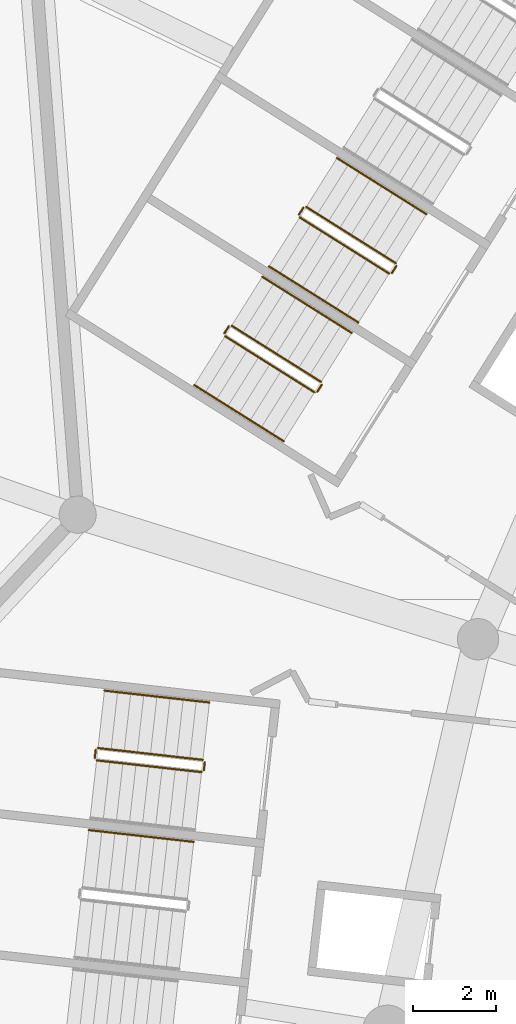
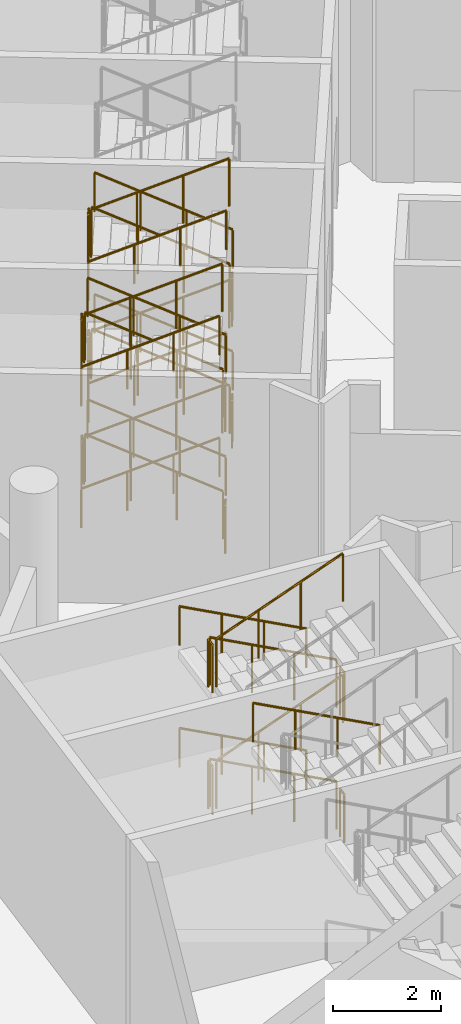
# One storey, part 253 of 271: 35 railings.
"""IFC4 building model written with IfcOpenShell, lengths in metres."""

from ifc_helpers import new_model, si_unit, direction, frame, origin, origin_2d, place, context, subcontext, project, spatial, circle, extrude, material, type_object, element, save


model = new_model("IFC4")

# Units and contexts
model_context = context("Model", 3, precision=1e-05, world=origin(), true_north=direction((0.0, 1.0)))
body_context = subcontext(model_context, "Body", "Model", "MODEL_VIEW")
ifc_project = project(units=[si_unit("LENGTHUNIT", "METRE"), si_unit("AREAUNIT", "SQUARE_METRE"), si_unit("VOLUMEUNIT", "CUBIC_METRE"), si_unit("PLANEANGLEUNIT", "RADIAN"), si_unit("MASSUNIT", "GRAM", prefix="KILO")], contexts=[model_context])

# Site, building, storey
site_placement = place(None, origin())
site = spatial("IfcSite", under=ifc_project, at=site_placement, CompositionType="ELEMENT")
building_placement = place(site_placement, origin())
building = spatial("IfcBuilding", under=site, at=building_placement, Name="Meseta Stadium", CompositionType="ELEMENT")
storey_placement = place(building_placement, frame((0.0, 0.0, 6.5)))
storey = spatial("IfcBuildingStorey", under=building, at=storey_placement, Name="L01", CompositionType="ELEMENT", Elevation=6.5)

# Railings
ifc_material_1 = material(Name="Steel S355", Category="steel")
railing_type_1 = type_object("IfcRailingType", Name="Stair guard 1100", PredefinedType="GUARDRAIL", material=ifc_material_1)
railing_1_placement = place(storey_placement, frame((-84.165283203125, 72.150146484375, 0.15283203125)))
element("IfcRailing", 1, at=railing_1_placement, inside=storey, type_object=railing_type_1, Name="ST55 L01 guard 1", PredefinedType="GUARDRAIL", context=body_context, shape_type="SweptSolid", body=[
    extrude(circle(Radius=0.02392578125, at=origin_2d()), frame((0.0, 0.0, 1.076171875), z_axis=(-0.764084805753, 0.480156468945, 0.430841241), x_axis=(-0.532071929883, -0.84669915639, 0.0)), (0.0, 0.0, 1.0), 2.836669921875),
    extrude(circle(Radius=0.02099609375, at=origin_2d()), origin(), (0.0, 0.0, 1.0), 1.052001953125),
    extrude(circle(Radius=0.02099609375, at=origin_2d()), frame((-0.722412109375, 0.4541015625, 0.407470703125)), (0.0, 0.0, 1.0), 1.052001953125),
    extrude(circle(Radius=0.02099609375, at=origin_2d()), frame((-1.445068359375, 0.907958984375, 0.814697265625)), (0.0, 0.0, 1.0), 1.052001953125),
    extrude(circle(Radius=0.02099609375, at=origin_2d()), frame((-2.16748046875, 1.362060546875, 1.22216796875)), (0.0, 0.0, 1.0), 1.052001953125),
])
railing_2_placement = place(storey_placement, frame((-86.40185546875, 73.49658203125, 1.375)))
element("IfcRailing", 2, at=railing_2_placement, inside=storey, type_object=railing_type_1, Name="ST55 L01 guard 2", PredefinedType="GUARDRAIL", context=body_context, shape_type="SweptSolid", body=[
    extrude(circle(Radius=0.02392578125, at=origin_2d()), frame((0.0, 0.0, 1.076171875), z_axis=(-0.531095943551, -0.847311689252, 0.0), x_axis=(0.847311689252, -0.531095943551, 0.0)), (0.0, 0.0, 1.0), 0.199951171875),
    extrude(circle(Radius=0.02099609375, at=origin_2d()), origin(), (0.0, 0.0, 1.0), 1.052001953125),
    extrude(circle(Radius=0.02099609375, at=origin_2d()), frame((-0.106201171875, -0.16943359375, 0.0)), (0.0, 0.0, 1.0), 1.052001953125),
])
railing_3_placement = place(storey_placement, frame((-86.492431640625, 73.258056640625, 1.52783203125)))
element("IfcRailing", 3, at=railing_3_placement, inside=storey, type_object=railing_type_1, Name="ST55 L01 guard 3", PredefinedType="GUARDRAIL", context=body_context, shape_type="SweptSolid", body=[
    extrude(circle(Radius=0.02392578125, at=origin_2d()), frame((0.0, 0.0, 1.076171875), z_axis=(0.764152192252, -0.480058669713, 0.430830710036), x_axis=(0.53196059271, 0.846769111272, 0.0)), (0.0, 0.0, 1.0), 2.836669921875),
    extrude(circle(Radius=0.02099609375, at=origin_2d()), origin(), (0.0, 0.0, 1.0), 1.052001953125),
    extrude(circle(Radius=0.02099609375, at=origin_2d()), frame((0.72265625, -0.453857421875, 0.407470703125)), (0.0, 0.0, 1.0), 1.052001953125),
    extrude(circle(Radius=0.02099609375, at=origin_2d()), frame((1.445068359375, -0.907958984375, 0.814697265625)), (0.0, 0.0, 1.0), 1.052001953125),
    extrude(circle(Radius=0.02099609375, at=origin_2d()), frame((2.167724609375, -1.36181640625, 1.22216796875)), (0.0, 0.0, 1.0), 1.052001953125),
])
railing_4_placement = place(storey_placement, frame((-84.1494140625, 72.081298828125, 2.75)))
element("IfcRailing", 4, at=railing_4_placement, inside=storey, type_object=railing_type_1, Name="ST55 L01 guard 4", PredefinedType="GUARDRAIL", context=body_context, shape_type="SweptSolid", body=[
    extrude(circle(Radius=0.02392578125, at=origin_2d()), frame((0.0, 0.0, 1.076171875), z_axis=(-0.531971628011, -0.846762178531, 0.0), x_axis=(0.846762178531, -0.531971628011, 0.0)), (0.0, 0.0, 1.0), 0.2001953125),
    extrude(circle(Radius=0.02099609375, at=origin_2d()), origin(), (0.0, 0.0, 1.0), 1.052001953125),
    extrude(circle(Radius=0.02099609375, at=origin_2d()), frame((-0.1064453125, -0.16943359375, 0.0)), (0.0, 0.0, 1.0), 1.052001953125),
])
railing_5_placement = place(storey_placement, frame((-84.165283203125, 72.150146484375, 2.90283203125)))
element("IfcRailing", 5, at=railing_5_placement, inside=storey, type_object=railing_type_1, Name="ST55 L01 guard 5", PredefinedType="GUARDRAIL", context=body_context, shape_type="SweptSolid", body=[
    extrude(circle(Radius=0.02392578125, at=origin_2d()), frame((0.0, 0.0, 1.076171875), z_axis=(-0.764084805753, 0.480156468945, 0.430841241), x_axis=(-0.532071929883, -0.84669915639, 0.0)), (0.0, 0.0, 1.0), 2.836669921875),
    extrude(circle(Radius=0.02099609375, at=origin_2d()), origin(), (0.0, 0.0, 1.0), 1.052001953125),
    extrude(circle(Radius=0.02099609375, at=origin_2d()), frame((-0.722412109375, 0.4541015625, 0.407470703125)), (0.0, 0.0, 1.0), 1.052001953125),
    extrude(circle(Radius=0.02099609375, at=origin_2d()), frame((-1.445068359375, 0.907958984375, 0.814697265625)), (0.0, 0.0, 1.0), 1.052001953125),
    extrude(circle(Radius=0.02099609375, at=origin_2d()), frame((-2.16748046875, 1.362060546875, 1.22216796875)), (0.0, 0.0, 1.0), 1.052001953125),
])
railing_6_placement = place(storey_placement, frame((-86.40185546875, 73.49658203125, 4.125)))
element("IfcRailing", 6, at=railing_6_placement, inside=storey, type_object=railing_type_1, Name="ST55 L01 guard 6", PredefinedType="GUARDRAIL", context=body_context, shape_type="SweptSolid", body=[
    extrude(circle(Radius=0.02392578125, at=origin_2d()), frame((0.0, 0.0, 1.076171875), z_axis=(-0.531095943551, -0.847311689252, 0.0), x_axis=(0.847311689252, -0.531095943551, 0.0)), (0.0, 0.0, 1.0), 0.199951171875),
    extrude(circle(Radius=0.02099609375, at=origin_2d()), origin(), (0.0, 0.0, 1.0), 1.052001953125),
    extrude(circle(Radius=0.02099609375, at=origin_2d()), frame((-0.106201171875, -0.16943359375, 0.0)), (0.0, 0.0, 1.0), 1.052001953125),
])
railing_7_placement = place(storey_placement, frame((-86.492431640625, 73.258056640625, 4.27783203125)))
element("IfcRailing", 7, at=railing_7_placement, inside=storey, type_object=railing_type_1, Name="ST55 L01 guard 7", PredefinedType="GUARDRAIL", context=body_context, shape_type="SweptSolid", body=[
    extrude(circle(Radius=0.02392578125, at=origin_2d()), frame((0.0, 0.0, 1.076171875), z_axis=(0.764152192252, -0.480058669713, 0.430830710036), x_axis=(0.53196059271, 0.846769111272, 0.0)), (0.0, 0.0, 1.0), 2.836669921875),
    extrude(circle(Radius=0.02099609375, at=origin_2d()), origin(), (0.0, 0.0, 1.0), 1.052001953125),
    extrude(circle(Radius=0.02099609375, at=origin_2d()), frame((0.72265625, -0.453857421875, 0.407470703125)), (0.0, 0.0, 1.0), 1.052001953125),
    extrude(circle(Radius=0.02099609375, at=origin_2d()), frame((1.445068359375, -0.907958984375, 0.814697265625)), (0.0, 0.0, 1.0), 1.052001953125),
    extrude(circle(Radius=0.02099609375, at=origin_2d()), frame((2.167724609375, -1.36181640625, 1.22216796875)), (0.0, 0.0, 1.0), 1.052001953125),
])
railing_8_placement = place(storey_placement, frame((-84.1494140625, 72.081298828125, 0.0)))
element("IfcRailing", 8, at=railing_8_placement, inside=storey, type_object=railing_type_1, Name="ST55 L01 guard 8", PredefinedType="GUARDRAIL", context=body_context, shape_type="SweptSolid", body=[
    extrude(circle(Radius=0.02392578125, at=origin_2d()), frame((0.0, 0.0, 1.076171875), z_axis=(-0.531971628011, -0.846762178531, 0.0), x_axis=(0.846762178531, -0.531971628011, 0.0)), (0.0, 0.0, 1.0), 0.2001953125),
    extrude(circle(Radius=0.02099609375, at=origin_2d()), origin(), (0.0, 0.0, 1.0), 1.052001953125),
    extrude(circle(Radius=0.02099609375, at=origin_2d()), frame((-0.1064453125, -0.16943359375, 0.0)), (0.0, 0.0, 1.0), 1.052001953125),
])
railing_9_placement = place(storey_placement, frame((-85.97412109375, 69.271240234375, 0.15283203125)))
element("IfcRailing", 9, at=railing_9_placement, inside=storey, type_object=railing_type_1, Name="ST56 L01 guard 1", PredefinedType="GUARDRAIL", context=body_context, shape_type="SweptSolid", body=[
    extrude(circle(Radius=0.02392578125, at=origin_2d()), frame((0.0, 0.0, 1.076171875), z_axis=(-0.764084805753, 0.480156468945, 0.430841241), x_axis=(-0.532071929883, -0.84669915639, 0.0)), (0.0, 0.0, 1.0), 2.836669921875),
    extrude(circle(Radius=0.02099609375, at=origin_2d()), origin(), (0.0, 0.0, 1.0), 1.052001953125),
    extrude(circle(Radius=0.02099609375, at=origin_2d()), frame((-0.722412109375, 0.4541015625, 0.407470703125)), (0.0, 0.0, 1.0), 1.052001953125),
    extrude(circle(Radius=0.02099609375, at=origin_2d()), frame((-1.445068359375, 0.907958984375, 0.814697265625)), (0.0, 0.0, 1.0), 1.052001953125),
    extrude(circle(Radius=0.02099609375, at=origin_2d()), frame((-2.16748046875, 1.362060546875, 1.22216796875)), (0.0, 0.0, 1.0), 1.052001953125),
])
railing_10_placement = place(storey_placement, frame((-88.210693359375, 70.61767578125, 1.375)))
element("IfcRailing", 10, at=railing_10_placement, inside=storey, type_object=railing_type_1, Name="ST56 L01 guard 2", PredefinedType="GUARDRAIL", context=body_context, shape_type="SweptSolid", body=[
    extrude(circle(Radius=0.02392578125, at=origin_2d()), frame((0.0, 0.0, 1.076171875), z_axis=(-0.531971628011, -0.846762178531, 0.0), x_axis=(0.846762178531, -0.531971628011, 0.0)), (0.0, 0.0, 1.0), 0.2001953125),
    extrude(circle(Radius=0.02099609375, at=origin_2d()), origin(), (0.0, 0.0, 1.0), 1.052001953125),
    extrude(circle(Radius=0.02099609375, at=origin_2d()), frame((-0.1064453125, -0.16943359375, 0.0)), (0.0, 0.0, 1.0), 1.052001953125),
])
railing_11_placement = place(storey_placement, frame((-88.30126953125, 70.37939453125, 1.52783203125)))
element("IfcRailing", 11, at=railing_11_placement, inside=storey, type_object=railing_type_1, Name="ST56 L01 guard 3", PredefinedType="GUARDRAIL", context=body_context, shape_type="SweptSolid", body=[
    extrude(circle(Radius=0.02392578125, at=origin_2d()), frame((0.0, 0.0, 1.076171875), z_axis=(0.764084805753, -0.480156468945, 0.430841241), x_axis=(0.532071929883, 0.84669915639, 0.0)), (0.0, 0.0, 1.0), 2.836669921875),
    extrude(circle(Radius=0.02099609375, at=origin_2d()), origin(), (0.0, 0.0, 1.0), 1.052001953125),
    extrude(circle(Radius=0.02099609375, at=origin_2d()), frame((0.722412109375, -0.4541015625, 0.407470703125)), (0.0, 0.0, 1.0), 1.052001953125),
    extrude(circle(Radius=0.02099609375, at=origin_2d()), frame((1.445068359375, -0.907958984375, 0.814697265625)), (0.0, 0.0, 1.0), 1.052001953125),
    extrude(circle(Radius=0.02099609375, at=origin_2d()), frame((2.16748046875, -1.362060546875, 1.22216796875)), (0.0, 0.0, 1.0), 1.052001953125),
])
railing_12_placement = place(storey_placement, frame((-85.958251953125, 69.202392578125, 2.75)))
element("IfcRailing", 12, at=railing_12_placement, inside=storey, type_object=railing_type_1, Name="ST56 L01 guard 4", PredefinedType="GUARDRAIL", context=body_context, shape_type="SweptSolid", body=[
    extrude(circle(Radius=0.02392578125, at=origin_2d()), frame((0.0, 0.0, 1.076171875), z_axis=(-0.531971628011, -0.846762178531, 0.0), x_axis=(0.846762178531, -0.531971628011, 0.0)), (0.0, 0.0, 1.0), 0.2001953125),
    extrude(circle(Radius=0.02099609375, at=origin_2d()), origin(), (0.0, 0.0, 1.0), 1.052001953125),
    extrude(circle(Radius=0.02099609375, at=origin_2d()), frame((-0.1064453125, -0.16943359375, 0.0)), (0.0, 0.0, 1.0), 1.052001953125),
])
railing_13_placement = place(storey_placement, frame((-85.97412109375, 69.271240234375, 2.90283203125)))
element("IfcRailing", 13, at=railing_13_placement, inside=storey, type_object=railing_type_1, Name="ST56 L01 guard 5", PredefinedType="GUARDRAIL", context=body_context, shape_type="SweptSolid", body=[
    extrude(circle(Radius=0.02392578125, at=origin_2d()), frame((0.0, 0.0, 1.076171875), z_axis=(-0.764084805753, 0.480156468945, 0.430841241), x_axis=(-0.532071929883, -0.84669915639, 0.0)), (0.0, 0.0, 1.0), 2.836669921875),
    extrude(circle(Radius=0.02099609375, at=origin_2d()), origin(), (0.0, 0.0, 1.0), 1.052001953125),
    extrude(circle(Radius=0.02099609375, at=origin_2d()), frame((-0.722412109375, 0.4541015625, 0.407470703125)), (0.0, 0.0, 1.0), 1.052001953125),
    extrude(circle(Radius=0.02099609375, at=origin_2d()), frame((-1.445068359375, 0.907958984375, 0.814697265625)), (0.0, 0.0, 1.0), 1.052001953125),
    extrude(circle(Radius=0.02099609375, at=origin_2d()), frame((-2.16748046875, 1.362060546875, 1.22216796875)), (0.0, 0.0, 1.0), 1.052001953125),
])
railing_14_placement = place(storey_placement, frame((-88.210693359375, 70.61767578125, 4.125)))
element("IfcRailing", 14, at=railing_14_placement, inside=storey, type_object=railing_type_1, Name="ST56 L01 guard 6", PredefinedType="GUARDRAIL", context=body_context, shape_type="SweptSolid", body=[
    extrude(circle(Radius=0.02392578125, at=origin_2d()), frame((0.0, 0.0, 1.076171875), z_axis=(-0.531971628011, -0.846762178531, 0.0), x_axis=(0.846762178531, -0.531971628011, 0.0)), (0.0, 0.0, 1.0), 0.2001953125),
    extrude(circle(Radius=0.02099609375, at=origin_2d()), origin(), (0.0, 0.0, 1.0), 1.052001953125),
    extrude(circle(Radius=0.02099609375, at=origin_2d()), frame((-0.1064453125, -0.16943359375, 0.0)), (0.0, 0.0, 1.0), 1.052001953125),
])
railing_15_placement = place(storey_placement, frame((-88.30126953125, 70.37939453125, 4.27783203125)))
element("IfcRailing", 15, at=railing_15_placement, inside=storey, type_object=railing_type_1, Name="ST56 L01 guard 7", PredefinedType="GUARDRAIL", context=body_context, shape_type="SweptSolid", body=[
    extrude(circle(Radius=0.02392578125, at=origin_2d()), frame((0.0, 0.0, 1.076171875), z_axis=(0.764084805753, -0.480156468945, 0.430841241), x_axis=(0.532071929883, 0.84669915639, 0.0)), (0.0, 0.0, 1.0), 2.836669921875),
    extrude(circle(Radius=0.02099609375, at=origin_2d()), origin(), (0.0, 0.0, 1.0), 1.052001953125),
    extrude(circle(Radius=0.02099609375, at=origin_2d()), frame((0.722412109375, -0.4541015625, 0.407470703125)), (0.0, 0.0, 1.0), 1.052001953125),
    extrude(circle(Radius=0.02099609375, at=origin_2d()), frame((1.445068359375, -0.907958984375, 0.814697265625)), (0.0, 0.0, 1.0), 1.052001953125),
    extrude(circle(Radius=0.02099609375, at=origin_2d()), frame((2.16748046875, -1.362060546875, 1.22216796875)), (0.0, 0.0, 1.0), 1.052001953125),
])
railing_16_placement = place(storey_placement, frame((-85.958251953125, 69.202392578125, 0.0)))
element("IfcRailing", 16, at=railing_16_placement, inside=storey, type_object=railing_type_1, Name="ST56 L01 guard 8", PredefinedType="GUARDRAIL", context=body_context, shape_type="SweptSolid", body=[
    extrude(circle(Radius=0.02392578125, at=origin_2d()), frame((0.0, 0.0, 1.076171875), z_axis=(-0.531971628011, -0.846762178531, 0.0), x_axis=(0.846762178531, -0.531971628011, 0.0)), (0.0, 0.0, 1.0), 0.2001953125),
    extrude(circle(Radius=0.02099609375, at=origin_2d()), origin(), (0.0, 0.0, 1.0), 1.052001953125),
    extrude(circle(Radius=0.02099609375, at=origin_2d()), frame((-0.1064453125, -0.16943359375, 0.0)), (0.0, 0.0, 1.0), 1.052001953125),
])
railing_17_placement = place(storey_placement, frame((-88.83740234375, 60.10986328125, 0.15283203125)))
element("IfcRailing", 17, at=railing_17_placement, inside=storey, type_object=railing_type_1, Name="ST57 L01 guard 1", PredefinedType="GUARDRAIL", context=body_context, shape_type="SweptSolid", body=[
    extrude(circle(Radius=0.02392578125, at=origin_2d()), frame((0.0, 0.0, 1.076171875), z_axis=(-0.896761948158, 0.101036326981, 0.430824406188), x_axis=(-0.111959576062, -0.993712761983, 0.0)), (0.0, 0.0, 1.0), 2.8369140625),
    extrude(circle(Radius=0.02099609375, at=origin_2d()), origin(), (0.0, 0.0, 1.0), 1.052001953125),
    extrude(circle(Radius=0.02099609375, at=origin_2d()), frame((-0.847900390625, 0.095458984375, 0.407470703125)), (0.0, 0.0, 1.0), 1.052001953125),
    extrude(circle(Radius=0.02099609375, at=origin_2d()), frame((-1.696044921875, 0.191162109375, 0.814697265625)), (0.0, 0.0, 1.0), 1.052001953125),
    extrude(circle(Radius=0.02099609375, at=origin_2d()), frame((-2.5439453125, 0.28662109375, 1.22216796875)), (0.0, 0.0, 1.0), 1.052001953125),
])
railing_18_placement = place(storey_placement, frame((-91.4365234375, 60.352294921875, 1.375)))
element("IfcRailing", 18, at=railing_18_placement, inside=storey, type_object=railing_type_1, Name="ST57 L01 guard 2", PredefinedType="GUARDRAIL", context=body_context, shape_type="SweptSolid", body=[
    extrude(circle(Radius=0.02392578125, at=origin_2d()), frame((0.0, 0.0, 1.076171875), z_axis=(-0.112307083986, -0.993673547442, 0.0), x_axis=(0.993673547442, -0.112307083986, 0.0)), (0.0, 0.0, 1.0), 0.199951171875),
    extrude(circle(Radius=0.02099609375, at=origin_2d()), origin(), (0.0, 0.0, 1.0), 1.052001953125),
    extrude(circle(Radius=0.02099609375, at=origin_2d()), frame((-0.0224609375, -0.19873046875, 0.0)), (0.0, 0.0, 1.0), 1.052001953125),
])
railing_19_placement = place(storey_placement, frame((-91.414794921875, 60.098388671875, 1.52783203125)))
element("IfcRailing", 19, at=railing_19_placement, inside=storey, type_object=railing_type_1, Name="ST57 L01 guard 3", PredefinedType="GUARDRAIL", context=body_context, shape_type="SweptSolid", body=[
    extrude(circle(Radius=0.02392578125, at=origin_2d()), frame((0.0, 0.0, 1.076171875), z_axis=(0.896745093794, -0.101044125167, 0.43085765808), x_axis=(0.111970187058, 0.993711566407, 0.0)), (0.0, 0.0, 1.0), 2.836669921875),
    extrude(circle(Radius=0.02099609375, at=origin_2d()), origin(), (0.0, 0.0, 1.0), 1.052001953125),
    extrude(circle(Radius=0.02099609375, at=origin_2d()), frame((0.847900390625, -0.095458984375, 0.407470703125)), (0.0, 0.0, 1.0), 1.052001953125),
    extrude(circle(Radius=0.02099609375, at=origin_2d()), frame((1.69580078125, -0.191162109375, 0.814697265625)), (0.0, 0.0, 1.0), 1.052001953125),
    extrude(circle(Radius=0.02099609375, at=origin_2d()), frame((2.543701171875, -0.28662109375, 1.22216796875)), (0.0, 0.0, 1.0), 1.052001953125),
])
railing_20_placement = place(storey_placement, frame((-88.793212890625, 60.054443359375, 2.75)))
element("IfcRailing", 20, at=railing_20_placement, inside=storey, type_object=railing_type_1, Name="ST57 L01 guard 4", PredefinedType="GUARDRAIL", context=body_context, shape_type="SweptSolid", body=[
    extrude(circle(Radius=0.02392578125, at=origin_2d()), frame((0.0, 0.0, 1.076171875), z_axis=(-0.112307083986, -0.993673547442, 0.0), x_axis=(0.993673547442, -0.112307083986, 0.0)), (0.0, 0.0, 1.0), 0.199951171875),
    extrude(circle(Radius=0.02099609375, at=origin_2d()), origin(), (0.0, 0.0, 1.0), 1.052001953125),
    extrude(circle(Radius=0.02099609375, at=origin_2d()), frame((-0.0224609375, -0.19873046875, 0.0)), (0.0, 0.0, 1.0), 1.052001953125),
])
railing_21_placement = place(storey_placement, frame((-88.83740234375, 60.10986328125, 2.90283203125)))
element("IfcRailing", 21, at=railing_21_placement, inside=storey, type_object=railing_type_1, Name="ST57 L01 guard 5", PredefinedType="GUARDRAIL", context=body_context, shape_type="SweptSolid", body=[
    extrude(circle(Radius=0.02392578125, at=origin_2d()), frame((0.0, 0.0, 1.076171875), z_axis=(-0.896761948158, 0.101036326981, 0.430824406188), x_axis=(-0.111959576062, -0.993712761983, 0.0)), (0.0, 0.0, 1.0), 2.8369140625),
    extrude(circle(Radius=0.02099609375, at=origin_2d()), origin(), (0.0, 0.0, 1.0), 1.052001953125),
    extrude(circle(Radius=0.02099609375, at=origin_2d()), frame((-0.847900390625, 0.095458984375, 0.407470703125)), (0.0, 0.0, 1.0), 1.052001953125),
    extrude(circle(Radius=0.02099609375, at=origin_2d()), frame((-1.696044921875, 0.191162109375, 0.814697265625)), (0.0, 0.0, 1.0), 1.052001953125),
    extrude(circle(Radius=0.02099609375, at=origin_2d()), frame((-2.5439453125, 0.28662109375, 1.22216796875)), (0.0, 0.0, 1.0), 1.052001953125),
])
railing_22_placement = place(storey_placement, frame((-91.4365234375, 60.352294921875, 4.125)))
element("IfcRailing", 22, at=railing_22_placement, inside=storey, type_object=railing_type_1, Name="ST57 L01 guard 6", PredefinedType="GUARDRAIL", context=body_context, shape_type="SweptSolid", body=[
    extrude(circle(Radius=0.02392578125, at=origin_2d()), frame((0.0, 0.0, 1.076171875), z_axis=(-0.112307083986, -0.993673547442, 0.0), x_axis=(0.993673547442, -0.112307083986, 0.0)), (0.0, 0.0, 1.0), 0.199951171875),
    extrude(circle(Radius=0.02099609375, at=origin_2d()), origin(), (0.0, 0.0, 1.0), 1.052001953125),
    extrude(circle(Radius=0.02099609375, at=origin_2d()), frame((-0.0224609375, -0.19873046875, 0.0)), (0.0, 0.0, 1.0), 1.052001953125),
])
railing_23_placement = place(storey_placement, frame((-91.414794921875, 60.098388671875, 4.27783203125)))
element("IfcRailing", 23, at=railing_23_placement, inside=storey, type_object=railing_type_1, Name="ST57 L01 guard 7", PredefinedType="GUARDRAIL", context=body_context, shape_type="SweptSolid", body=[
    extrude(circle(Radius=0.02392578125, at=origin_2d()), frame((0.0, 0.0, 1.076171875), z_axis=(0.896745093794, -0.101044125167, 0.43085765808), x_axis=(0.111970187058, 0.993711566407, 0.0)), (0.0, 0.0, 1.0), 2.836669921875),
    extrude(circle(Radius=0.02099609375, at=origin_2d()), origin(), (0.0, 0.0, 1.0), 1.052001953125),
    extrude(circle(Radius=0.02099609375, at=origin_2d()), frame((0.847900390625, -0.095458984375, 0.407470703125)), (0.0, 0.0, 1.0), 1.052001953125),
    extrude(circle(Radius=0.02099609375, at=origin_2d()), frame((1.69580078125, -0.191162109375, 0.814697265625)), (0.0, 0.0, 1.0), 1.052001953125),
    extrude(circle(Radius=0.02099609375, at=origin_2d()), frame((2.543701171875, -0.28662109375, 1.22216796875)), (0.0, 0.0, 1.0), 1.052001953125),
])
railing_24_placement = place(storey_placement, frame((-88.793212890625, 60.054443359375, 0.0)))
element("IfcRailing", 24, at=railing_24_placement, inside=storey, type_object=railing_type_1, Name="ST57 L01 guard 8", PredefinedType="GUARDRAIL", context=body_context, shape_type="SweptSolid", body=[
    extrude(circle(Radius=0.02392578125, at=origin_2d()), frame((0.0, 0.0, 1.076171875), z_axis=(-0.112307083986, -0.993673547442, 0.0), x_axis=(0.993673547442, -0.112307083986, 0.0)), (0.0, 0.0, 1.0), 0.199951171875),
    extrude(circle(Radius=0.02099609375, at=origin_2d()), origin(), (0.0, 0.0, 1.0), 1.052001953125),
    extrude(circle(Radius=0.02099609375, at=origin_2d()), frame((-0.0224609375, -0.19873046875, 0.0)), (0.0, 0.0, 1.0), 1.052001953125),
])
ifc_material_2 = material(Name="Steel S355", Category="steel")
railing_type_2 = type_object("IfcRailingType", Name="Stair handrail 900", PredefinedType="HANDRAIL", material=ifc_material_2)
railing_25_placement = place(storey_placement, frame((-83.42041015625, 73.335693359375, 0.15283203125)))
element("IfcRailing", 25, at=railing_25_placement, inside=storey, type_object=railing_type_2, Name="ST55 L01 handrail 1", PredefinedType="HANDRAIL", context=body_context, shape_type="SweptSolid", body=[
    extrude(circle(Radius=0.02392578125, at=origin_2d()), frame((0.0, 0.0, 0.8759765625), z_axis=(-0.764116380419, 0.480090242169, 0.430859044873), x_axis=(-0.53200355363, -0.846742120675, 0.0)), (0.0, 0.0, 1.0), 2.836669921875),
    extrude(circle(Radius=0.02099609375, at=origin_2d()), origin(), (0.0, 0.0, 1.0), 0.851806640625),
    extrude(circle(Radius=0.02099609375, at=origin_2d()), frame((-0.722412109375, 0.453857421875, 0.407470703125)), (0.0, 0.0, 1.0), 0.851806640625),
    extrude(circle(Radius=0.02099609375, at=origin_2d()), frame((-1.445068359375, 0.907958984375, 0.814697265625)), (0.0, 0.0, 1.0), 0.851806640625),
    extrude(circle(Radius=0.02099609375, at=origin_2d()), frame((-2.16748046875, 1.36181640625, 1.22216796875)), (0.0, 0.0, 1.0), 0.851806640625),
])
railing_26_placement = place(storey_placement, frame((-87.2373046875, 72.07275390625, 1.52783203125)))
element("IfcRailing", 26, at=railing_26_placement, inside=storey, type_object=railing_type_2, Name="ST55 L01 handrail 2", PredefinedType="HANDRAIL", context=body_context, shape_type="SweptSolid", body=[
    extrude(circle(Radius=0.02392578125, at=origin_2d()), frame((0.0, 0.0, 0.8759765625), z_axis=(0.764120620259, -0.480124894743, 0.430812909676), x_axis=(0.532028967801, 0.846726152555, 0.0)), (0.0, 0.0, 1.0), 2.8369140625),
    extrude(circle(Radius=0.02099609375, at=origin_2d()), origin(), (0.0, 0.0, 1.0), 0.851806640625),
    extrude(circle(Radius=0.02099609375, at=origin_2d()), frame((0.72265625, -0.4541015625, 0.407470703125)), (0.0, 0.0, 1.0), 0.851806640625),
    extrude(circle(Radius=0.02099609375, at=origin_2d()), frame((1.445068359375, -0.907958984375, 0.814697265625)), (0.0, 0.0, 1.0), 0.851806640625),
    extrude(circle(Radius=0.02099609375, at=origin_2d()), frame((2.167724609375, -1.362060546875, 1.22216796875)), (0.0, 0.0, 1.0), 0.851806640625),
])
railing_27_placement = place(storey_placement, frame((-83.42041015625, 73.335693359375, 2.90283203125)))
element("IfcRailing", 27, at=railing_27_placement, inside=storey, type_object=railing_type_2, Name="ST55 L01 handrail 3", PredefinedType="HANDRAIL", context=body_context, shape_type="SweptSolid", body=[
    extrude(circle(Radius=0.02392578125, at=origin_2d()), frame((0.0, 0.0, 0.8759765625), z_axis=(-0.764116380419, 0.480090242169, 0.430859044873), x_axis=(-0.53200355363, -0.846742120675, 0.0)), (0.0, 0.0, 1.0), 2.836669921875),
    extrude(circle(Radius=0.02099609375, at=origin_2d()), origin(), (0.0, 0.0, 1.0), 0.851806640625),
    extrude(circle(Radius=0.02099609375, at=origin_2d()), frame((-0.722412109375, 0.453857421875, 0.407470703125)), (0.0, 0.0, 1.0), 0.851806640625),
    extrude(circle(Radius=0.02099609375, at=origin_2d()), frame((-1.445068359375, 0.907958984375, 0.814697265625)), (0.0, 0.0, 1.0), 0.851806640625),
    extrude(circle(Radius=0.02099609375, at=origin_2d()), frame((-2.16748046875, 1.36181640625, 1.22216796875)), (0.0, 0.0, 1.0), 0.851806640625),
])
railing_28_placement = place(storey_placement, frame((-87.2373046875, 72.07275390625, 4.27783203125)))
element("IfcRailing", 28, at=railing_28_placement, inside=storey, type_object=railing_type_2, Name="ST55 L01 handrail 4", PredefinedType="HANDRAIL", context=body_context, shape_type="SweptSolid", body=[
    extrude(circle(Radius=0.02392578125, at=origin_2d()), frame((0.0, 0.0, 0.8759765625), z_axis=(0.764120620259, -0.480124894743, 0.430812909676), x_axis=(0.532028967801, 0.846726152555, 0.0)), (0.0, 0.0, 1.0), 2.8369140625),
    extrude(circle(Radius=0.02099609375, at=origin_2d()), origin(), (0.0, 0.0, 1.0), 0.851806640625),
    extrude(circle(Radius=0.02099609375, at=origin_2d()), frame((0.72265625, -0.4541015625, 0.407470703125)), (0.0, 0.0, 1.0), 0.851806640625),
    extrude(circle(Radius=0.02099609375, at=origin_2d()), frame((1.445068359375, -0.907958984375, 0.814697265625)), (0.0, 0.0, 1.0), 0.851806640625),
    extrude(circle(Radius=0.02099609375, at=origin_2d()), frame((2.167724609375, -1.362060546875, 1.22216796875)), (0.0, 0.0, 1.0), 0.851806640625),
])
railing_29_placement = place(storey_placement, frame((-85.229248046875, 70.456787109375, 0.15283203125)))
element("IfcRailing", 29, at=railing_29_placement, inside=storey, type_object=railing_type_2, Name="ST56 L01 handrail 1", PredefinedType="HANDRAIL", context=body_context, shape_type="SweptSolid", body=[
    extrude(circle(Radius=0.02392578125, at=origin_2d()), frame((0.0, 0.0, 0.8759765625), z_axis=(-0.764120620259, 0.480124894743, 0.430812909676), x_axis=(-0.532028967801, -0.846726152555, 0.0)), (0.0, 0.0, 1.0), 2.8369140625),
    extrude(circle(Radius=0.02099609375, at=origin_2d()), origin(), (0.0, 0.0, 1.0), 0.851806640625),
    extrude(circle(Radius=0.02099609375, at=origin_2d()), frame((-0.72265625, 0.4541015625, 0.407470703125)), (0.0, 0.0, 1.0), 0.851806640625),
    extrude(circle(Radius=0.02099609375, at=origin_2d()), frame((-1.445068359375, 0.907958984375, 0.814697265625)), (0.0, 0.0, 1.0), 0.851806640625),
    extrude(circle(Radius=0.02099609375, at=origin_2d()), frame((-2.167724609375, 1.362060546875, 1.22216796875)), (0.0, 0.0, 1.0), 0.851806640625),
])
railing_30_placement = place(storey_placement, frame((-89.046142578125, 69.19384765625, 1.52783203125)))
element("IfcRailing", 30, at=railing_30_placement, inside=storey, type_object=railing_type_2, Name="ST56 L01 handrail 2", PredefinedType="HANDRAIL", context=body_context, shape_type="SweptSolid", body=[
    extrude(circle(Radius=0.02392578125, at=origin_2d()), frame((0.0, 0.0, 0.8759765625), z_axis=(0.764084805753, -0.480156468945, 0.430841241), x_axis=(0.532071929883, 0.84669915639, 0.0)), (0.0, 0.0, 1.0), 2.836669921875),
    extrude(circle(Radius=0.02099609375, at=origin_2d()), origin(), (0.0, 0.0, 1.0), 0.851806640625),
    extrude(circle(Radius=0.02099609375, at=origin_2d()), frame((0.722412109375, -0.4541015625, 0.407470703125)), (0.0, 0.0, 1.0), 0.851806640625),
    extrude(circle(Radius=0.02099609375, at=origin_2d()), frame((1.445068359375, -0.907958984375, 0.814697265625)), (0.0, 0.0, 1.0), 0.851806640625),
    extrude(circle(Radius=0.02099609375, at=origin_2d()), frame((2.16748046875, -1.362060546875, 1.22216796875)), (0.0, 0.0, 1.0), 0.851806640625),
])
railing_31_placement = place(storey_placement, frame((-85.229248046875, 70.456787109375, 2.90283203125)))
element("IfcRailing", 31, at=railing_31_placement, inside=storey, type_object=railing_type_2, Name="ST56 L01 handrail 3", PredefinedType="HANDRAIL", context=body_context, shape_type="SweptSolid", body=[
    extrude(circle(Radius=0.02392578125, at=origin_2d()), frame((0.0, 0.0, 0.8759765625), z_axis=(-0.764120620259, 0.480124894743, 0.430812909676), x_axis=(-0.532028967801, -0.846726152555, 0.0)), (0.0, 0.0, 1.0), 2.8369140625),
    extrude(circle(Radius=0.02099609375, at=origin_2d()), origin(), (0.0, 0.0, 1.0), 0.851806640625),
    extrude(circle(Radius=0.02099609375, at=origin_2d()), frame((-0.72265625, 0.4541015625, 0.407470703125)), (0.0, 0.0, 1.0), 0.851806640625),
    extrude(circle(Radius=0.02099609375, at=origin_2d()), frame((-1.445068359375, 0.907958984375, 0.814697265625)), (0.0, 0.0, 1.0), 0.851806640625),
    extrude(circle(Radius=0.02099609375, at=origin_2d()), frame((-2.167724609375, 1.362060546875, 1.22216796875)), (0.0, 0.0, 1.0), 0.851806640625),
])
railing_32_placement = place(storey_placement, frame((-89.046142578125, 69.19384765625, 4.27783203125)))
element("IfcRailing", 32, at=railing_32_placement, inside=storey, type_object=railing_type_2, Name="ST56 L01 handrail 4", PredefinedType="HANDRAIL", context=body_context, shape_type="SweptSolid", body=[
    extrude(circle(Radius=0.02392578125, at=origin_2d()), frame((0.0, 0.0, 0.8759765625), z_axis=(0.764084805753, -0.480156468945, 0.430841241), x_axis=(0.532071929883, 0.84669915639, 0.0)), (0.0, 0.0, 1.0), 2.836669921875),
    extrude(circle(Radius=0.02099609375, at=origin_2d()), origin(), (0.0, 0.0, 1.0), 0.851806640625),
    extrude(circle(Radius=0.02099609375, at=origin_2d()), frame((0.722412109375, -0.4541015625, 0.407470703125)), (0.0, 0.0, 1.0), 0.851806640625),
    extrude(circle(Radius=0.02099609375, at=origin_2d()), frame((1.445068359375, -0.907958984375, 0.814697265625)), (0.0, 0.0, 1.0), 0.851806640625),
    extrude(circle(Radius=0.02099609375, at=origin_2d()), frame((2.16748046875, -1.362060546875, 1.22216796875)), (0.0, 0.0, 1.0), 0.851806640625),
])
for number, where, name in (
    (33, (-88.6806640625, 61.5009765625, 0.15283203125), "ST57 L01 handrail 1"),
    (34, (-88.6806640625, 61.5009765625, 2.90283203125), "ST57 L01 handrail 3"),
    (35, (-89.061279296875, 58.122314453125, 2.90283203125), "ST58 L01 handrail 3"),
):
    element("IfcRailing", number, at=place(storey_placement, frame(where)), inside=storey, type_object=railing_type_2, Name=name, PredefinedType="HANDRAIL", context=body_context, shape_type="SweptSolid", body=[
        extrude(circle(Radius=0.02392578125, at=origin_2d()), frame((0.0, 0.0, 0.8759765625), z_axis=(-0.896761948158, 0.101036326981, 0.430824406188), x_axis=(-0.111959576062, -0.993712761983, 0.0)), (0.0, 0.0, 1.0), 2.8369140625),
        extrude(circle(Radius=0.02099609375, at=origin_2d()), origin(), (0.0, 0.0, 1.0), 0.851806640625),
        extrude(circle(Radius=0.02099609375, at=origin_2d()), frame((-0.847900390625, 0.095458984375, 0.407470703125)), (0.0, 0.0, 1.0), 0.851806640625),
        extrude(circle(Radius=0.02099609375, at=origin_2d()), frame((-1.696044921875, 0.191162109375, 0.814697265625)), (0.0, 0.0, 1.0), 0.851806640625),
        extrude(circle(Radius=0.02099609375, at=origin_2d()), frame((-2.5439453125, 0.28662109375, 1.22216796875)), (0.0, 0.0, 1.0), 0.851806640625),
    ])

save(model, "model.ifc")
